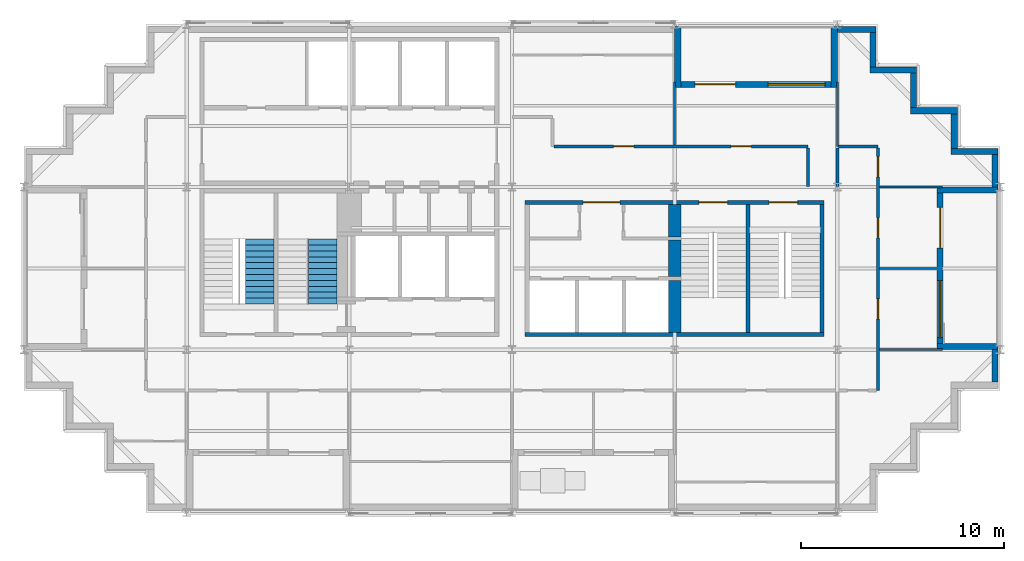
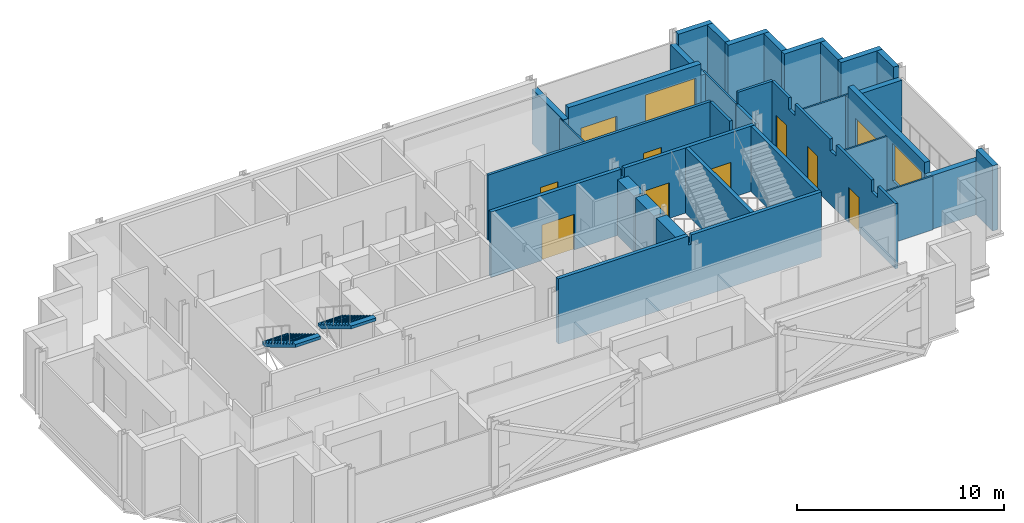
# One storey, part 7 of 10: 32 walls, 10 doors, 2 stair flights, 2 windows, 12 openings, 2 elements without a shape of their own.
"""IFC4 building model written with IfcOpenShell, lengths in metres."""

from ifc_helpers import new_model, si_unit, direction, frame, frame_2d, origin, place, context, subcontext, project, spatial, polyline, rectangle, outline, extrude, material, layer, layer_set, type_object, element, fill, aggregate, save


model = new_model("IFC4")

# Units and contexts
model_context = context("Model", 3, precision=1e-05, world=origin(), true_north=direction((0.0, 1.0)))
body_context = subcontext(model_context, "Body", "Model", "MODEL_VIEW")
ifc_project = project(units=[si_unit("LENGTHUNIT", "METRE"), si_unit("AREAUNIT", "SQUARE_METRE"), si_unit("VOLUMEUNIT", "CUBIC_METRE"), si_unit("PLANEANGLEUNIT", "RADIAN"), si_unit("MASSUNIT", "GRAM", prefix="KILO")], contexts=[model_context])

# Site, building, storey
site_placement = place(None, origin())
site = spatial("IfcSite", under=ifc_project, at=site_placement, CompositionType="ELEMENT")
building_placement = place(site_placement, origin())
building = spatial("IfcBuilding", under=site, at=building_placement, Name="Immortelle Media Tower", CompositionType="ELEMENT")
storey_placement = place(building_placement, frame((0.0, 0.0, 255.0)))
storey = spatial("IfcBuildingStorey", under=building, at=storey_placement, Name="L55", CompositionType="ELEMENT", Elevation=255.0)

# Wall, openings, doors
ifc_material_1 = material(Name="Fire-rated gypsum board", Category="gypsum")
ifc_layer_1 = layer(ifc_material_1, 0.012451171875)
ifc_material_2 = material(Name="Steel ASTM A653 SS Gr 50 stud frame with mineral wool", Category="steel")
ifc_layer_2 = layer(ifc_material_2, 0.125)
ifc_layer_3 = layer(ifc_material_1, 0.012451171875)
ifc_layer_set_1 = layer_set([ifc_layer_1, ifc_layer_2, ifc_layer_3], Name="Steel ASTM A653 SS Gr 50 stud frame with mineral wool")
wall_type_1 = type_object("IfcWallType", Name="Corridor wall 150", PredefinedType="PARTITIONING", material=ifc_layer_set_1)
wall_1_placement = place(storey_placement, frame((42.0, 6.0, 0.0), z_axis=(0.0, 0.0, 1.0), x_axis=(0.0, 1.0, 0.0)))
wall_1 = element("IfcWall", 1, at=wall_1_placement, inside=storey, type_object=wall_type_1, Name="Partition L55-015", PredefinedType="PARTITIONING", context=body_context, shape_type="SweptSolid", body=[
    extrude(outline(polyline([(0.0, 0.0), (11.925048828125, 0.0), (11.925048828125, 3.85009765625), (10.300048828125, 3.85009765625), (10.298095703125, 3.172119140625), (9.701904296875, 3.172119140625), (9.699951171875, 3.85009765625), (6.300048828125, 3.85009765625), (6.298095703125, 3.172119140625), (5.701904296875, 3.172119140625), (5.699951171875, 3.85009765625), (2.300048828125, 3.85009765625), (2.298095703125, 3.172119140625), (1.701904296875, 3.172119140625), (1.699951171875, 3.85009765625), (0.0, 3.85009765625), (0.0, 0.0)])), frame((0.0, 0.074951171875, 0.0), z_axis=(0.0, -1.0, 0.0), x_axis=(1.0, 0.0, 0.0)), (0.0, 0.0, 1.0), 0.14990234375),
])
opening_1_placement = place(wall_1_placement, frame((4.5, 0.0, 0.0), z_axis=(0.0, 0.0, 1.0), x_axis=(-1.0, 0.0, 0.0)))
opening_1 = element("IfcOpeningElement", 2, at=opening_1_placement, cuts=wall_1, Name="Opening X1-F014", PredefinedType="OPENING", context=body_context, shape_type="SweptSolid", body=[
    extrude(rectangle(XDim=1.0, YDim=2.10009765625, at=frame_2d((0.5, 1.050048828125))), frame((0.0, 0.0849609375, 0.0), z_axis=(0.0, -1.0, 0.0), x_axis=(1.0, 0.0, 0.0)), (0.0, 0.0, 1.0), 0.169921875),
])
opening_2_placement = place(wall_1_placement, frame((8.5, 0.0, 0.0), z_axis=(0.0, 0.0, 1.0), x_axis=(-1.0, 0.0, 0.0)))
opening_2 = element("IfcOpeningElement", 3, at=opening_2_placement, cuts=wall_1, Name="Opening X1-F015", PredefinedType="OPENING", context=body_context, shape_type="SweptSolid", body=[
    extrude(rectangle(XDim=1.0, YDim=2.10009765625, at=frame_2d((0.5, 1.050048828125))), frame((0.0, 0.0849609375, 0.0), z_axis=(0.0, -1.0, 0.0), x_axis=(1.0, 0.0, 0.0)), (0.0, 0.0, 1.0), 0.169921875),
])
opening_3_placement = place(wall_1_placement, frame((11.5, 0.0, 0.0), z_axis=(0.0, 0.0, 1.0), x_axis=(-1.0, 0.0, 0.0)))
opening_3 = element("IfcOpeningElement", 4, at=opening_3_placement, cuts=wall_1, Name="Opening X1-F017", PredefinedType="OPENING", context=body_context, shape_type="SweptSolid", body=[
    extrude(rectangle(XDim=1.0, YDim=2.10009765625, at=frame_2d((0.5, 1.050048828125))), frame((0.0, 0.0849609375, 0.0), z_axis=(0.0, -1.0, 0.0), x_axis=(1.0, 0.0, 0.0)), (0.0, 0.0, 1.0), 0.169921875),
])
ifc_material_3 = material(Name="Timber veneered door leaf, galvanised steel frame ASTM A653", Category="steel")
door_type_1 = type_object("IfcDoorType", Name="Room door 1000 x 2100", OperationType="NOTDEFINED", PredefinedType="DOOR", material=ifc_material_3)
door_1_placement = place(opening_1_placement, origin())
door_1 = element("IfcDoor", 5, at=door_1_placement, inside=storey, type_object=door_type_1, Name="Door X1-F014", OperationType="SINGLE_SWING_LEFT", OverallHeight=2.10009765625, OverallWidth=1.0, PredefinedType="DOOR", context=body_context, shape_type="SweptSolid", body=[
    extrude(rectangle(XDim=1.0, YDim=2.10009765625, at=frame_2d((0.5, 1.050048828125))), frame((0.0, 0.02490234375, 0.0), z_axis=(0.0, -1.0, 0.0), x_axis=(1.0, 0.0, 0.0)), (0.0, 0.0, 1.0), 0.050048828125),
])
fill(opening_1, door_1)
door_2_placement = place(opening_2_placement, origin())
door_2 = element("IfcDoor", 6, at=door_2_placement, inside=storey, type_object=door_type_1, Name="Door X1-F015", OperationType="SINGLE_SWING_LEFT", OverallHeight=2.10009765625, OverallWidth=1.0, PredefinedType="DOOR", context=body_context, shape_type="SweptSolid", body=[
    extrude(rectangle(XDim=1.0, YDim=2.10009765625, at=frame_2d((0.5, 1.050048828125))), frame((0.0, 0.02490234375, 0.0), z_axis=(0.0, -1.0, 0.0), x_axis=(1.0, 0.0, 0.0)), (0.0, 0.0, 1.0), 0.050048828125),
])
fill(opening_2, door_2)
door_3_placement = place(opening_3_placement, origin())
door_3 = element("IfcDoor", 7, at=door_3_placement, inside=storey, type_object=door_type_1, Name="Door X1-F017", OperationType="SINGLE_SWING_RIGHT", OverallHeight=2.10009765625, OverallWidth=1.0, PredefinedType="DOOR", context=body_context, shape_type="SweptSolid", body=[
    extrude(rectangle(XDim=1.0, YDim=2.10009765625, at=frame_2d((0.5, 1.050048828125))), frame((0.0, 0.02490234375, 0.0), z_axis=(0.0, -1.0, 0.0), x_axis=(1.0, 0.0, 0.0)), (0.0, 0.0, 1.0), 0.050048828125),
])
fill(opening_3, door_3)

# Walls
wall_2_placement = place(storey_placement, frame((38.550048828125, 16.030029296875, 0.0), z_axis=(0.0, 0.0, 1.0), x_axis=(0.0, 1.0, 0.0)))
element("IfcWall", 8, at=wall_2_placement, inside=storey, type_object=wall_type_1, Name="Partition L55-022", PredefinedType="PARTITIONING", context=body_context, shape_type="SweptSolid", body=[
    extrude(rectangle(XDim=1.89501953125, YDim=0.14990234375, at=frame_2d((0.947509765625, 0.0))), origin(), (0.0, 0.0, 1.0), 3.85009765625),
])
wall_3_placement = place(storey_placement, frame((40.0, 16.030029296875, 0.0), z_axis=(0.0, 0.0, 1.0), x_axis=(0.0, 1.0, 0.0)))
element("IfcWall", 9, at=wall_3_placement, inside=storey, type_object=wall_type_1, Name="Partition L55-023", PredefinedType="PARTITIONING", context=body_context, shape_type="SweptSolid", body=[
    extrude(rectangle(XDim=1.89501953125, YDim=0.14990234375, at=frame_2d((0.947509765625, 0.0))), origin(), (0.0, 0.0, 1.0), 3.172119140625),
])

# Wall, openings, doors
wall_4_placement = place(storey_placement, frame((26.074951171875, 18.0, 0.0), z_axis=(0.0, 0.0, 1.0), x_axis=(1.0, 0.0, 0.0)))
wall_4 = element("IfcWall", 10, at=wall_4_placement, inside=storey, type_object=wall_type_1, Name="Partition L55-024", PredefinedType="PARTITIONING", context=body_context, shape_type="SweptSolid", body=[
    extrude(rectangle(XDim=12.47509765625, YDim=0.14990234375, at=frame_2d((6.237548828125, 0.0))), origin(), (0.0, 0.0, 1.0), 3.85009765625),
])
opening_4_placement = place(wall_4_placement, frame((8.699951171875, 0.0, 0.0)))
opening_4 = element("IfcOpeningElement", 11, at=opening_4_placement, cuts=wall_4, Name="Opening X1-F018", PredefinedType="OPENING", context=body_context, shape_type="SweptSolid", body=[
    extrude(rectangle(XDim=1.0, YDim=2.10009765625, at=frame_2d((0.5, 1.050048828125))), frame((0.0, 0.0849609375, 0.0), z_axis=(0.0, -1.0, 0.0), x_axis=(1.0, 0.0, 0.0)), (0.0, 0.0, 1.0), 0.169921875),
])
opening_5_placement = place(wall_4_placement, frame((2.925048828125, 0.0, 0.0)))
opening_5 = element("IfcOpeningElement", 12, at=opening_5_placement, cuts=wall_4, Name="Opening X1-F019", PredefinedType="OPENING", context=body_context, shape_type="SweptSolid", body=[
    extrude(rectangle(XDim=1.0, YDim=2.10009765625, at=frame_2d((0.5, 1.050048828125))), frame((0.0, 0.0849609375, 0.0), z_axis=(0.0, -1.0, 0.0), x_axis=(1.0, 0.0, 0.0)), (0.0, 0.0, 1.0), 0.169921875),
])
door_4_placement = place(opening_4_placement, origin())
door_4 = element("IfcDoor", 13, at=door_4_placement, inside=storey, type_object=door_type_1, Name="Door X1-F018", OperationType="SINGLE_SWING_LEFT", OverallHeight=2.10009765625, OverallWidth=1.0, PredefinedType="DOOR", context=body_context, shape_type="SweptSolid", body=[
    extrude(rectangle(XDim=1.0, YDim=2.10009765625, at=frame_2d((0.5, 1.050048828125))), frame((0.0, 0.02490234375, 0.0), z_axis=(0.0, -1.0, 0.0), x_axis=(1.0, 0.0, 0.0)), (0.0, 0.0, 1.0), 0.050048828125),
])
fill(opening_4, door_4)
door_5_placement = place(opening_5_placement, origin())
door_5 = element("IfcDoor", 14, at=door_5_placement, inside=storey, type_object=door_type_1, Name="Door X1-F019", OperationType="SINGLE_SWING_RIGHT", OverallHeight=2.10009765625, OverallWidth=1.0, PredefinedType="DOOR", context=body_context, shape_type="SweptSolid", body=[
    extrude(rectangle(XDim=1.0, YDim=2.10009765625, at=frame_2d((0.5, 1.050048828125))), frame((0.0, 0.02490234375, 0.0), z_axis=(0.0, -1.0, 0.0), x_axis=(1.0, 0.0, 0.0)), (0.0, 0.0, 1.0), 0.050048828125),
])
fill(opening_5, door_5)

# Walls
wall_5_placement = place(storey_placement, frame((40.050048828125, 18.0, 0.0), z_axis=(0.0, 0.0, 1.0), x_axis=(1.0, 0.0, 0.0)))
element("IfcWall", 15, at=wall_5_placement, inside=storey, type_object=wall_type_1, Name="Partition L55-027", PredefinedType="PARTITIONING", context=body_context, shape_type="SweptSolid", body=[
    extrude(rectangle(XDim=1.949951171875, YDim=0.14990234375, at=frame_2d((0.97509765625, 0.0))), origin(), (0.0, 0.0, 1.0), 3.85009765625),
])
ifc_material_4 = material(Name="Pale aluminium cladding panel", Category="aluminium")
ifc_layer_4 = layer(ifc_material_4, 0.030029296875)
ifc_layer_5 = layer(ifc_material_2, 0.257568359375)
ifc_material_5 = material(Name="Moisture-resistant gypsum board", Category="gypsum")
ifc_layer_6 = layer(ifc_material_5, 0.012451171875)
ifc_layer_set_2 = layer_set([ifc_layer_4, ifc_layer_5, ifc_layer_6], Name="Steel ASTM A653 SS Gr 50 stud frame with mineral wool")
wall_type_2 = type_object("IfcWallType", Name="Facade wall 300", PredefinedType="SOLIDWALL", material=ifc_layer_set_2)
wall_6_placement = place(storey_placement, frame((47.75, 6.39990234375, 0.0), z_axis=(0.0, 0.0, 1.0), x_axis=(0.0, 1.0, 0.0)))
element("IfcWall", 16, at=wall_6_placement, inside=storey, type_object=wall_type_2, Name="Facade wall L55 E13", PredefinedType="SOLIDWALL", context=body_context, shape_type="SweptSolid", body=[
    extrude(rectangle(XDim=1.60009765625, YDim=0.300048828125, at=frame_2d((0.800048828125, 0.0))), origin(), (0.0, 0.0, 1.0), 3.85009765625),
])

# Wall, openings, door, window
wall_7_placement = place(storey_placement, frame((45.050048828125, 8.300048828125, 0.0), z_axis=(0.0, 0.0, 1.0), x_axis=(0.0, 1.0, 0.0)))
wall_7 = element("IfcWall", 17, at=wall_7_placement, inside=storey, type_object=wall_type_2, Name="Loggia wall L55 E13", PredefinedType="SOLIDWALL", context=body_context, shape_type="SweptSolid", body=[
    extrude(rectangle(XDim=7.39990234375, YDim=0.300048828125, at=frame_2d((3.699951171875, 0.0))), origin(), (0.0, 0.0, 1.0), 3.85009765625),
])
opening_6_placement = place(wall_7_placement, frame((0.300048828125, 0.0, 0.89990234375)))
opening_6 = element("IfcOpeningElement", 18, at=opening_6_placement, cuts=wall_7, Name="Opening W1", PredefinedType="OPENING", context=body_context, shape_type="SweptSolid", body=[
    extrude(rectangle(XDim=2.800048828125, YDim=2.199951171875, at=frame_2d((1.39990234375, 1.10009765625))), frame((0.0, 0.159912109375, 0.0), z_axis=(0.0, -1.0, 0.0), x_axis=(1.0, 0.0, 0.0)), (0.0, 0.0, 1.0), 0.320068359375),
])
opening_7_placement = place(wall_7_placement, frame((4.699951171875, 0.0, 0.0)))
opening_7 = element("IfcOpeningElement", 19, at=opening_7_placement, cuts=wall_7, Name="Opening X1-E003", PredefinedType="OPENING", context=body_context, shape_type="SweptSolid", body=[
    extrude(rectangle(XDim=2.0, YDim=2.39990234375, at=frame_2d((1.0, 1.199951171875))), frame((0.0, 0.159912109375, 0.0), z_axis=(0.0, -1.0, 0.0), x_axis=(1.0, 0.0, 0.0)), (0.0, 0.0, 1.0), 0.320068359375),
])
ifc_material_6 = material(Name="Aluminium frame, glazed leaves", Category="aluminium")
door_type_2 = type_object("IfcDoorType", Name="Loggia door 2000 x 2400", OperationType="DOUBLE_DOOR_SINGLE_SWING", PredefinedType="DOOR", material=ifc_material_6)
door_6_placement = place(opening_7_placement, origin())
door_6 = element("IfcDoor", 20, at=door_6_placement, inside=storey, type_object=door_type_2, Name="Door X1-E003", OperationType="DOUBLE_DOOR_SINGLE_SWING", OverallHeight=2.39990234375, OverallWidth=2.0, PredefinedType="DOOR", context=body_context, shape_type="SweptSolid", body=[
    extrude(rectangle(XDim=2.0, YDim=2.39990234375, at=frame_2d((1.0, 1.199951171875))), frame((0.0, 0.02490234375, 0.0), z_axis=(0.0, -1.0, 0.0), x_axis=(1.0, 0.0, 0.0)), (0.0, 0.0, 1.0), 0.050048828125),
])
fill(opening_7, door_6)
ifc_material_7 = material(Name="Aluminium frame", Category="aluminium")
window_type = type_object("IfcWindowType", Name="Window 2800 x 2200", PartitioningType="SINGLE_PANEL", PredefinedType="WINDOW", material=ifc_material_7)
window_1_placement = place(opening_6_placement, origin())
window_1 = element("IfcWindow", 21, at=window_1_placement, inside=storey, type_object=window_type, Name="Window L55 L55-R13-B0", OverallHeight=2.199951171875, OverallWidth=2.800048828125, PartitioningType="SINGLE_PANEL", PredefinedType="WINDOW", context=body_context, shape_type="SweptSolid", body=[
    extrude(rectangle(XDim=2.800048828125, YDim=2.199951171875, at=frame_2d((1.39990234375, 1.10009765625))), frame((0.0, 0.030029296875, 0.0), z_axis=(0.0, -1.0, 0.0), x_axis=(1.0, 0.0, 0.0)), (0.0, 0.0, 1.0), 0.06005859375),
])
fill(opening_6, window_1)

# Walls
for number, where, z_axis, x_axis, name in (
    (22, (47.89990234375, 8.14990234375, 0.0), (0.0, 0.0, 1.0), (-1.0, 0.0, 0.0), "Loggia cheek wall L55 E"),
    (23, (47.89990234375, 15.85009765625, 0.0), (0.0, 0.0, 1.0), (-1.0, 0.0, 0.0), "Loggia cheek wall L55 E"),
):
    element("IfcWall", number, at=place(storey_placement, frame(where, z_axis=z_axis, x_axis=x_axis)), inside=storey, type_object=wall_type_2, Name=name, PredefinedType="SOLIDWALL", context=body_context, shape_type="SweptSolid", body=[
        extrude(rectangle(XDim=3.0, YDim=0.300048828125, at=frame_2d((1.5, 0.0))), origin(), (0.0, 0.0, 1.0), 3.1708984375),
    ])
wall_8_placement = place(storey_placement, frame((47.75, 16.0, 0.0), z_axis=(0.0, 0.0, 1.0), x_axis=(0.0, 1.0, 0.0)))
element("IfcWall", 24, at=wall_8_placement, inside=storey, type_object=wall_type_2, Name="Facade wall L55 E13", PredefinedType="SOLIDWALL", context=body_context, shape_type="SweptSolid", body=[
    extrude(rectangle(XDim=1.60009765625, YDim=0.300048828125, at=frame_2d((0.800048828125, 0.0))), origin(), (0.0, 0.0, 1.0), 3.85009765625),
])
wall_9_placement = place(storey_placement, frame((47.89990234375, 17.75, 0.0), z_axis=(0.0, 0.0, 1.0), x_axis=(-1.0, 0.0, 0.0)))
element("IfcWall", 25, at=wall_9_placement, inside=storey, type_object=wall_type_2, Name="Facade wall L55 N14", PredefinedType="SOLIDWALL", context=body_context, shape_type="SweptSolid", body=[
    extrude(rectangle(XDim=2.2998046875, YDim=0.300048828125, at=frame_2d((1.14990234375, 0.0))), origin(), (0.0, 0.0, 1.0), 3.85009765625),
])
wall_10_placement = place(storey_placement, frame((45.75, 17.89990234375, 0.0), z_axis=(0.0, 0.0, 1.0), x_axis=(0.0, 1.0, 0.0)))
element("IfcWall", 26, at=wall_10_placement, inside=storey, type_object=wall_type_2, Name="Facade wall L55 E15", PredefinedType="SOLIDWALL", context=body_context, shape_type="SweptSolid", body=[
    extrude(rectangle(XDim=1.7001953125, YDim=0.300048828125, at=frame_2d((0.85009765625, 0.0))), origin(), (0.0, 0.0, 1.0), 3.85009765625),
])
wall_11_placement = place(storey_placement, frame((45.89990234375, 19.75, 0.0), z_axis=(0.0, 0.0, 1.0), x_axis=(-1.0, 0.0, 0.0)))
element("IfcWall", 27, at=wall_11_placement, inside=storey, type_object=wall_type_2, Name="Facade wall L55 N16", PredefinedType="SOLIDWALL", context=body_context, shape_type="SweptSolid", body=[
    extrude(rectangle(XDim=2.2998046875, YDim=0.300048828125, at=frame_2d((1.14990234375, 0.0))), origin(), (0.0, 0.0, 1.0), 3.85009765625),
])
wall_12_placement = place(storey_placement, frame((43.75, 19.89990234375, 0.0), z_axis=(0.0, 0.0, 1.0), x_axis=(0.0, 1.0, 0.0)))
element("IfcWall", 28, at=wall_12_placement, inside=storey, type_object=wall_type_2, Name="Facade wall L55 E17", PredefinedType="SOLIDWALL", context=body_context, shape_type="SweptSolid", body=[
    extrude(rectangle(XDim=1.7001953125, YDim=0.300048828125, at=frame_2d((0.85009765625, 0.0))), origin(), (0.0, 0.0, 1.0), 3.85009765625),
])
wall_13_placement = place(storey_placement, frame((43.89990234375, 21.75, 0.0), z_axis=(0.0, 0.0, 1.0), x_axis=(-1.0, 0.0, 0.0)))
element("IfcWall", 29, at=wall_13_placement, inside=storey, type_object=wall_type_2, Name="Facade wall L55 N18", PredefinedType="SOLIDWALL", context=body_context, shape_type="SweptSolid", body=[
    extrude(rectangle(XDim=2.2998046875, YDim=0.300048828125, at=frame_2d((1.14990234375, 0.0))), origin(), (0.0, 0.0, 1.0), 3.85009765625),
])
wall_14_placement = place(storey_placement, frame((41.75, 21.89990234375, 0.0), z_axis=(0.0, 0.0, 1.0), x_axis=(0.0, 1.0, 0.0)))
element("IfcWall", 30, at=wall_14_placement, inside=storey, type_object=wall_type_2, Name="Facade wall L55 E19", PredefinedType="SOLIDWALL", context=body_context, shape_type="SweptSolid", body=[
    extrude(rectangle(XDim=1.7001953125, YDim=0.300048828125, at=frame_2d((0.85009765625, 0.0))), origin(), (0.0, 0.0, 1.0), 3.85009765625),
])
wall_15_placement = place(storey_placement, frame((41.89990234375, 23.75, 0.0), z_axis=(0.0, 0.0, 1.0), x_axis=(-1.0, 0.0, 0.0)))
element("IfcWall", 31, at=wall_15_placement, inside=storey, type_object=wall_type_2, Name="Facade wall L55 N20", PredefinedType="SOLIDWALL", context=body_context, shape_type="SweptSolid", body=[
    extrude(rectangle(XDim=1.89990234375, YDim=0.300048828125, at=frame_2d((0.949951171875, 0.0))), origin(), (0.0, 0.0, 1.0), 3.85009765625),
])

# Wall, openings, door, window
wall_16_placement = place(storey_placement, frame((39.699951171875, 21.050048828125, 0.0), z_axis=(0.0, 0.0, 1.0), x_axis=(-1.0, 0.0, 0.0)))
wall_16 = element("IfcWall", 32, at=wall_16_placement, inside=storey, type_object=wall_type_2, Name="Loggia wall L55 N20", PredefinedType="SOLIDWALL", context=body_context, shape_type="SweptSolid", body=[
    extrude(rectangle(XDim=7.39990234375, YDim=0.300048828125, at=frame_2d((3.699951171875, 0.0))), origin(), (0.0, 0.0, 1.0), 3.85009765625),
])
opening_8_placement = place(wall_16_placement, frame((0.300048828125, 0.0, 0.89990234375)))
opening_8 = element("IfcOpeningElement", 33, at=opening_8_placement, cuts=wall_16, Name="Opening W1", PredefinedType="OPENING", context=body_context, shape_type="SweptSolid", body=[
    extrude(rectangle(XDim=2.800048828125, YDim=2.199951171875, at=frame_2d((1.39990234375, 1.10009765625))), frame((0.0, 0.159912109375, 0.0), z_axis=(0.0, -1.0, 0.0), x_axis=(1.0, 0.0, 0.0)), (0.0, 0.0, 1.0), 0.320068359375),
])
opening_9_placement = place(wall_16_placement, frame((4.699951171875, 0.0, 0.0)))
opening_9 = element("IfcOpeningElement", 34, at=opening_9_placement, cuts=wall_16, Name="Opening X1-E004", PredefinedType="OPENING", context=body_context, shape_type="SweptSolid", body=[
    extrude(rectangle(XDim=2.0, YDim=2.39990234375, at=frame_2d((1.0, 1.199951171875))), frame((0.0, 0.159912109375, 0.0), z_axis=(0.0, -1.0, 0.0), x_axis=(1.0, 0.0, 0.0)), (0.0, 0.0, 1.0), 0.320068359375),
])
door_7_placement = place(opening_9_placement, origin())
door_7 = element("IfcDoor", 35, at=door_7_placement, inside=storey, type_object=door_type_2, Name="Door X1-E004", OperationType="DOUBLE_DOOR_SINGLE_SWING", OverallHeight=2.39990234375, OverallWidth=2.0, PredefinedType="DOOR", context=body_context, shape_type="SweptSolid", body=[
    extrude(rectangle(XDim=2.0, YDim=2.39990234375, at=frame_2d((1.0, 1.199951171875))), frame((0.0, 0.02490234375, 0.0), z_axis=(0.0, -1.0, 0.0), x_axis=(1.0, 0.0, 0.0)), (0.0, 0.0, 1.0), 0.050048828125),
])
fill(opening_9, door_7)
window_2_placement = place(opening_8_placement, origin())
window_2 = element("IfcWindow", 36, at=window_2_placement, inside=storey, type_object=window_type, Name="Window L55 L55-R20-B0", OverallHeight=2.199951171875, OverallWidth=2.800048828125, PartitioningType="SINGLE_PANEL", PredefinedType="WINDOW", context=body_context, shape_type="SweptSolid", body=[
    extrude(rectangle(XDim=2.800048828125, YDim=2.199951171875, at=frame_2d((1.39990234375, 1.10009765625))), frame((0.0, 0.030029296875, 0.0), z_axis=(0.0, -1.0, 0.0), x_axis=(1.0, 0.0, 0.0)), (0.0, 0.0, 1.0), 0.06005859375),
])
fill(opening_8, window_2)

# Walls
wall_17_placement = place(storey_placement, frame((39.85009765625, 23.89990234375, 0.0), z_axis=(0.0, 0.0, 1.0), x_axis=(0.0, -1.0, 0.0)))
element("IfcWall", 37, at=wall_17_placement, inside=storey, type_object=wall_type_2, Name="Loggia cheek wall L55 N", PredefinedType="SOLIDWALL", context=body_context, shape_type="SweptSolid", body=[
    extrude(rectangle(XDim=3.0, YDim=0.300048828125, at=frame_2d((1.5, 0.0))), origin(), (0.0, 0.0, 1.0), 3.1708984375),
])
wall_18_placement = place(storey_placement, frame((32.14990234375, 23.89990234375, 0.0), z_axis=(0.0, 0.0, 1.0), x_axis=(0.0, -1.0, 0.0)))
element("IfcWall", 38, at=wall_18_placement, inside=storey, type_object=wall_type_2, Name="Loggia cheek wall L55 N", PredefinedType="SOLIDWALL", context=body_context, shape_type="SweptSolid", body=[
    extrude(rectangle(XDim=3.0, YDim=0.300048828125, at=frame_2d((1.5, 0.0))), origin(), (0.0, 0.0, 1.0), 3.237060546875),
])
ifc_material_8 = material(Name="Gypsum board", Category="gypsum")
ifc_layer_7 = layer(ifc_material_8, 0.012451171875)
ifc_layer_8 = layer(ifc_material_2, 0.074951171875)
ifc_layer_9 = layer(ifc_material_8, 0.012451171875)
ifc_layer_set_3 = layer_set([ifc_layer_7, ifc_layer_8, ifc_layer_9], Name="Steel ASTM A653 SS Gr 50 stud frame with mineral wool")
wall_type_3 = type_object("IfcWallType", Name="Partition 100", PredefinedType="PARTITIONING", material=ifc_layer_set_3)
for number, where, z_axis, x_axis, name in (
    (39, (42.074951171875, 8.0, 0.0), (0.0, 0.0, 1.0), (1.0, 0.0, 0.0), "Partition L55-017"),
    (40, (42.074951171875, 12.0, 0.0), (0.0, 0.0, 1.0), (1.0, 0.0, 0.0), "Partition L55-019"),
    (41, (42.074951171875, 16.0, 0.0), (0.0, 0.0, 1.0), (1.0, 0.0, 0.0), "Partition L55-021"),
    (42, (32.0, 18.074951171875, 0.0), (0.0, 0.0, 1.0), (0.0, 1.0, 0.0), "Partition L55-026"),
):
    element("IfcWall", number, at=place(storey_placement, frame(where, z_axis=z_axis, x_axis=x_axis)), inside=storey, type_object=wall_type_3, Name=name, PredefinedType="PARTITIONING", context=body_context, shape_type="SweptSolid", body=[
        extrude(rectangle(XDim=3.094970703125, YDim=0.10009765625, at=frame_2d((1.54736328125, 0.0))), origin(), (0.0, 0.0, 1.0), 3.172119140625),
    ])
wall_19_placement = place(storey_placement, frame((40.0, 18.0, 0.0), z_axis=(0.0, 0.0, 1.0), x_axis=(0.0, 1.0, 0.0)))
element("IfcWall", 43, at=wall_19_placement, inside=storey, type_object=wall_type_3, Name="Partition L55-028", PredefinedType="PARTITIONING", context=body_context, shape_type="SweptSolid", body=[
    extrude(rectangle(XDim=3.169921875, YDim=0.10009765625, at=frame_2d((1.5849609375, 0.0))), origin(), (0.0, 0.0, 1.0), 3.172119140625),
])
ifc_material_9 = material(Name="Concrete C60", Category="concrete")
ifc_layer_10 = layer(ifc_material_9, 0.199951171875)
ifc_layer_set_4 = layer_set([ifc_layer_10], Name="Concrete C60")
wall_type_4 = type_object("IfcWallType", Name="Stair shaft wall 200", PredefinedType="PARTITIONING", material=ifc_layer_set_4)
wall_20_placement = place(storey_placement, frame((24.64990234375, 8.75, 0.0), z_axis=(0.0, 0.0, 1.0), x_axis=(1.0, 0.0, 0.0)))
element("IfcWall", 44, at=wall_20_placement, inside=storey, type_object=wall_type_4, Name="Stair shaft wall SE", PredefinedType="PARTITIONING", context=body_context, shape_type="SweptSolid", body=[
    extrude(outline(polyline([(0.0, 0.0), (14.7001953125, 0.0), (14.699951171875, 3.85009765625), (7.4384765625, 3.85009765625), (7.4375, 3.30810546875), (7.262451171875, 3.30810546875), (7.261474609375, 3.85009765625), (0.0, 3.85009765625), (0.0, 0.0)])), frame((0.0, 0.10009765625, 0.0), z_axis=(0.0, -1.0, 0.0), x_axis=(1.0, 0.0, 0.0)), (0.0, 0.0, 1.0), 0.199951171875),
])

# Wall, openings, doors
wall_21_placement = place(storey_placement, frame((24.64990234375, 15.25, 0.0), z_axis=(0.0, 0.0, 1.0), x_axis=(1.0, 0.0, 0.0)))
wall_21 = element("IfcWall", 45, at=wall_21_placement, inside=storey, type_object=wall_type_4, Name="Stair shaft wall SE", PredefinedType="PARTITIONING", context=body_context, shape_type="SweptSolid", body=[
    extrude(outline(polyline([(0.0, 0.0), (14.7001953125, 0.0), (14.699951171875, 3.85009765625), (7.4384765625, 3.85009765625), (7.4375, 3.30810546875), (7.262451171875, 3.30810546875), (7.261474609375, 3.85009765625), (0.0, 3.85009765625), (0.0, 0.0)])), frame((0.0, 0.10009765625, 0.0), z_axis=(0.0, -1.0, 0.0), x_axis=(1.0, 0.0, 0.0)), (0.0, 0.0, 1.0), 0.199951171875),
])
opening_10_placement = place(wall_21_placement, frame((2.85009765625, 0.0, 0.0)))
opening_10 = element("IfcOpeningElement", 46, at=opening_10_placement, cuts=wall_21, Name="Opening X1-K022", PredefinedType="OPENING", context=body_context, shape_type="SweptSolid", body=[
    extrude(rectangle(XDim=1.800048828125, YDim=2.10009765625, at=frame_2d((0.89990234375, 1.050048828125))), frame((0.0, 0.10986328125, 0.0), z_axis=(0.0, -1.0, 0.0), x_axis=(1.0, 0.0, 0.0)), (0.0, 0.0, 1.0), 0.219970703125),
])
opening_11_placement = place(wall_21_placement, frame((9.949951171875, 0.0, 0.0), z_axis=(0.0, 0.0, 1.0), x_axis=(-1.0, 0.0, 0.0)))
opening_11 = element("IfcOpeningElement", 47, at=opening_11_placement, cuts=wall_21, Name="Opening X1-K025", PredefinedType="OPENING", context=body_context, shape_type="SweptSolid", body=[
    extrude(rectangle(XDim=1.39990234375, YDim=2.10009765625, at=frame_2d((0.699951171875, 1.050048828125))), frame((0.0, 0.10986328125, 0.0), z_axis=(0.0, -1.0, 0.0), x_axis=(1.0, 0.0, 0.0)), (0.0, 0.0, 1.0), 0.219970703125),
])
opening_12_placement = place(wall_21_placement, frame((13.39990234375, 0.0, 0.0), z_axis=(0.0, 0.0, 1.0), x_axis=(-1.0, 0.0, 0.0)))
opening_12 = element("IfcOpeningElement", 48, at=opening_12_placement, cuts=wall_21, Name="Opening X1-K026", PredefinedType="OPENING", context=body_context, shape_type="SweptSolid", body=[
    extrude(rectangle(XDim=1.39990234375, YDim=2.10009765625, at=frame_2d((0.699951171875, 1.050048828125))), frame((0.0, 0.10986328125, 0.0), z_axis=(0.0, -1.0, 0.0), x_axis=(1.0, 0.0, 0.0)), (0.0, 0.0, 1.0), 0.219970703125),
])
ifc_material_10 = material(Name="Galvanised steel door leaf and frame ASTM A653", Category="steel")
door_type_3 = type_object("IfcDoorType", Name="Lift lobby door 1800 x 2100", OperationType="DOUBLE_DOOR_SINGLE_SWING", PredefinedType="NOTDEFINED", material=ifc_material_10)
door_8_placement = place(opening_10_placement, origin())
door_8 = element("IfcDoor", 49, at=door_8_placement, inside=storey, type_object=door_type_3, Name="Lift lobby X1-K022", OperationType="DOUBLE_DOOR_SINGLE_SWING", OverallHeight=2.10009765625, OverallWidth=1.800048828125, PredefinedType="NOTDEFINED", context=body_context, shape_type="SweptSolid", body=[
    extrude(rectangle(XDim=1.800048828125, YDim=2.10009765625, at=frame_2d((0.89990234375, 1.050048828125))), frame((0.0, 0.02490234375, 0.0), z_axis=(0.0, -1.0, 0.0), x_axis=(1.0, 0.0, 0.0)), (0.0, 0.0, 1.0), 0.050048828125),
])
fill(opening_10, door_8)
door_type_4 = type_object("IfcDoorType", Name="Stair door 1400 x 2100", OperationType="DOUBLE_DOOR_SINGLE_SWING", PredefinedType="NOTDEFINED", material=ifc_material_10)
door_9_placement = place(opening_11_placement, origin())
door_9 = element("IfcDoor", 50, at=door_9_placement, inside=storey, type_object=door_type_4, Name="Stair X1-K025", OperationType="DOUBLE_DOOR_SINGLE_SWING", OverallHeight=2.10009765625, OverallWidth=1.39990234375, PredefinedType="NOTDEFINED", context=body_context, shape_type="SweptSolid", body=[
    extrude(rectangle(XDim=1.39990234375, YDim=2.10009765625, at=frame_2d((0.699951171875, 1.050048828125))), frame((0.0, 0.02490234375, 0.0), z_axis=(0.0, -1.0, 0.0), x_axis=(1.0, 0.0, 0.0)), (0.0, 0.0, 1.0), 0.050048828125),
])
fill(opening_11, door_9)
door_10_placement = place(opening_12_placement, origin())
door_10 = element("IfcDoor", 51, at=door_10_placement, inside=storey, type_object=door_type_4, Name="Stair X1-K026", OperationType="DOUBLE_DOOR_SINGLE_SWING", OverallHeight=2.10009765625, OverallWidth=1.39990234375, PredefinedType="NOTDEFINED", context=body_context, shape_type="SweptSolid", body=[
    extrude(rectangle(XDim=1.39990234375, YDim=2.10009765625, at=frame_2d((0.699951171875, 1.050048828125))), frame((0.0, 0.02490234375, 0.0), z_axis=(0.0, -1.0, 0.0), x_axis=(1.0, 0.0, 0.0)), (0.0, 0.0, 1.0), 0.050048828125),
])
fill(opening_12, door_10)

# Walls
for number, where, z_axis, x_axis, name in (
    (52, (35.60009765625, 8.85009765625, 0.0), (0.0, 0.0, 1.0), (0.0, 1.0, 0.0), "Stair shaft wall SE"),
    (53, (39.25, 8.85009765625, 0.0), (0.0, 0.0, 1.0), (0.0, 1.0, 0.0), "Stair shaft wall SE"),
):
    element("IfcWall", number, at=place(storey_placement, frame(where, z_axis=z_axis, x_axis=x_axis)), inside=storey, type_object=wall_type_4, Name=name, PredefinedType="PARTITIONING", context=body_context, shape_type="SweptSolid", body=[
        extrude(rectangle(XDim=6.2998046875, YDim=0.199951171875, at=frame_2d((3.14990234375, 0.0))), origin(), (0.0, 0.0, 1.0), 3.85009765625),
    ])
ifc_layer_11 = layer(ifc_material_9, 0.60009765625)
ifc_layer_set_5 = layer_set([ifc_layer_11], Name="Concrete C60")
wall_type_5 = type_object("IfcWallType", Name="Stair shaft wall 600", PredefinedType="PARTITIONING", material=ifc_layer_set_5)
wall_22_placement = place(storey_placement, frame((32.0, 8.85009765625, 0.0), z_axis=(0.0, 0.0, 1.0), x_axis=(0.0, 1.0, 0.0)))
element("IfcWall", 54, at=wall_22_placement, inside=storey, type_object=wall_type_5, Name="Stair shaft wall SE", PredefinedType="PARTITIONING", context=body_context, shape_type="SweptSolid", body=[
    extrude(rectangle(XDim=2.5498046875, YDim=0.60009765625, at=frame_2d((1.27490234375, 0.0))), origin(), (0.0, 0.0, 1.0), 3.30810546875),
])
wall_23_placement = place(storey_placement, frame((32.0, 11.60009765625, 0.0), z_axis=(0.0, 0.0, 1.0), x_axis=(0.0, 1.0, 0.0)))
element("IfcWall", 55, at=wall_23_placement, inside=storey, type_object=wall_type_5, Name="Stair shaft wall SE", PredefinedType="PARTITIONING", context=body_context, shape_type="SweptSolid", body=[
    extrude(rectangle(XDim=1.7998046875, YDim=0.60009765625, at=frame_2d((0.89990234375, 0.0))), origin(), (0.0, 0.0, 1.0), 3.30810546875),
])
wall_24_placement = place(storey_placement, frame((32.0, 13.550048828125, 0.0), z_axis=(0.0, 0.0, 1.0), x_axis=(0.0, 1.0, 0.0)))
element("IfcWall", 56, at=wall_24_placement, inside=storey, type_object=wall_type_5, Name="Stair shaft wall SE", PredefinedType="PARTITIONING", context=body_context, shape_type="SweptSolid", body=[
    extrude(rectangle(XDim=1.599853515625, YDim=0.60009765625, at=frame_2d((0.7998046875, 0.0))), origin(), (0.0, 0.0, 1.0), 3.30810546875),
])

# Stair, stair flight
ifc_material_11 = material(Name="Steel ASTM A992 Gr 50", Category="steel")
stair_type = type_object("IfcStairType", Name="Stair with flights", PredefinedType="DOUBLE_RETURN_STAIR", material=ifc_material_11)
stair_1_placement = place(storey_placement, origin())
stair_1 = element("IfcStair", 57, at=stair_1_placement, inside=storey, type_object=stair_type, Name="Exit stair SW1", PredefinedType="DOUBLE_RETURN_STAIR")
stair_flight_type = type_object("IfcStairFlightType", Name="Stair flight 1400", PredefinedType="STRAIGHT", material=ifc_material_11)
stair_flight_1_placement = place(storey_placement, frame((11.60009765625, 13.43994140625, 1.9130859375), z_axis=(0.0, 0.0, 1.0), x_axis=(0.0, -1.0, 0.0)))
stair_flight_1 = element("IfcStairFlight", 58, at=stair_flight_1_placement, type_object=stair_flight_type, Name="ST SW1 flight 2", NumberOfRisers=12, NumberOfTreads=11, PredefinedType="STRAIGHT", RiserHeight=0.173913043, TreadLength=0.29, context=body_context, shape_type="SweptSolid", body=[
    extrude(outline(polyline([(0.0, 0.0), (0.0, 0.173828125), (0.2900390625, 0.173828125), (0.2900390625, 0.347900390625), (0.580078125, 0.347900390625), (0.580078125, 0.521728515625), (0.8701171875, 0.521728515625), (0.8701171875, 0.695556640625), (1.159912109375, 0.695556640625), (1.159912109375, 0.86962890625), (1.449951171875, 0.86962890625), (1.449951171875, 1.04345703125), (1.739990234375, 1.04345703125), (1.739990234375, 1.21728515625), (2.030029296875, 1.21728515625), (2.030029296875, 1.391357421875), (2.320068359375, 1.391357421875), (2.320068359375, 1.565185546875), (2.610107421875, 1.565185546875), (2.610107421875, 1.739013671875), (2.89990234375, 1.739013671875), (2.89990234375, 1.9130859375), (3.18994140625, 1.9130859375), (3.18994140625, 2.0869140625), (3.18994140625, 1.73828125), (0.29150390625, 0.0), (0.0, 0.0)])), frame((0.0, 0.699951171875, 0.0), z_axis=(0.0, -1.0, 0.0), x_axis=(1.0, 0.0, 0.0)), (0.0, 0.0, 1.0), 1.39990234375),
])
aggregate(stair_1, [stair_flight_1])

stair_2_placement = place(storey_placement, origin())
stair_2 = element("IfcStair", 59, at=stair_2_placement, inside=storey, type_object=stair_type, Name="Exit stair SW2", PredefinedType="DOUBLE_RETURN_STAIR")
stair_flight_2_placement = place(storey_placement, frame((14.699951171875, 13.43994140625, 1.9130859375), z_axis=(0.0, 0.0, 1.0), x_axis=(0.0, -1.0, 0.0)))
stair_flight_2 = element("IfcStairFlight", 60, at=stair_flight_2_placement, type_object=stair_flight_type, Name="ST SW2 flight 2", NumberOfRisers=12, NumberOfTreads=11, PredefinedType="STRAIGHT", RiserHeight=0.173913043, TreadLength=0.29, context=body_context, shape_type="SweptSolid", body=[
    extrude(outline(polyline([(0.0, 0.0), (0.0, 0.173828125), (0.2900390625, 0.173828125), (0.2900390625, 0.347900390625), (0.580078125, 0.347900390625), (0.580078125, 0.521728515625), (0.8701171875, 0.521728515625), (0.8701171875, 0.695556640625), (1.159912109375, 0.695556640625), (1.159912109375, 0.86962890625), (1.449951171875, 0.86962890625), (1.449951171875, 1.04345703125), (1.739990234375, 1.04345703125), (1.739990234375, 1.21728515625), (2.030029296875, 1.21728515625), (2.030029296875, 1.391357421875), (2.320068359375, 1.391357421875), (2.320068359375, 1.565185546875), (2.610107421875, 1.565185546875), (2.610107421875, 1.739013671875), (2.89990234375, 1.739013671875), (2.89990234375, 1.9130859375), (3.18994140625, 1.9130859375), (3.18994140625, 2.0869140625), (3.18994140625, 1.73828125), (0.29150390625, 0.0), (0.0, 0.0)])), frame((0.0, 0.699951171875, 0.0), z_axis=(0.0, -1.0, 0.0), x_axis=(1.0, 0.0, 0.0)), (0.0, 0.0, 1.0), 1.39990234375),
])
aggregate(stair_2, [stair_flight_2])

save(model, "model.ifc")
